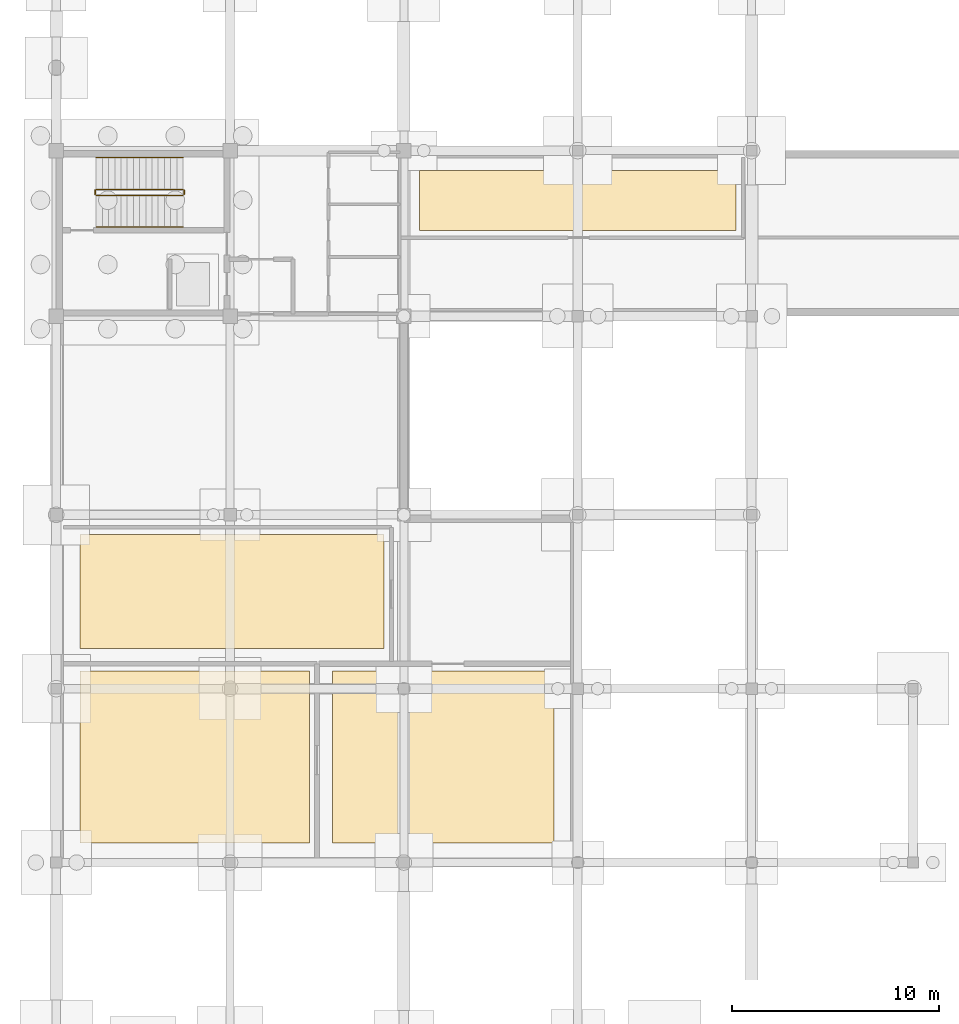
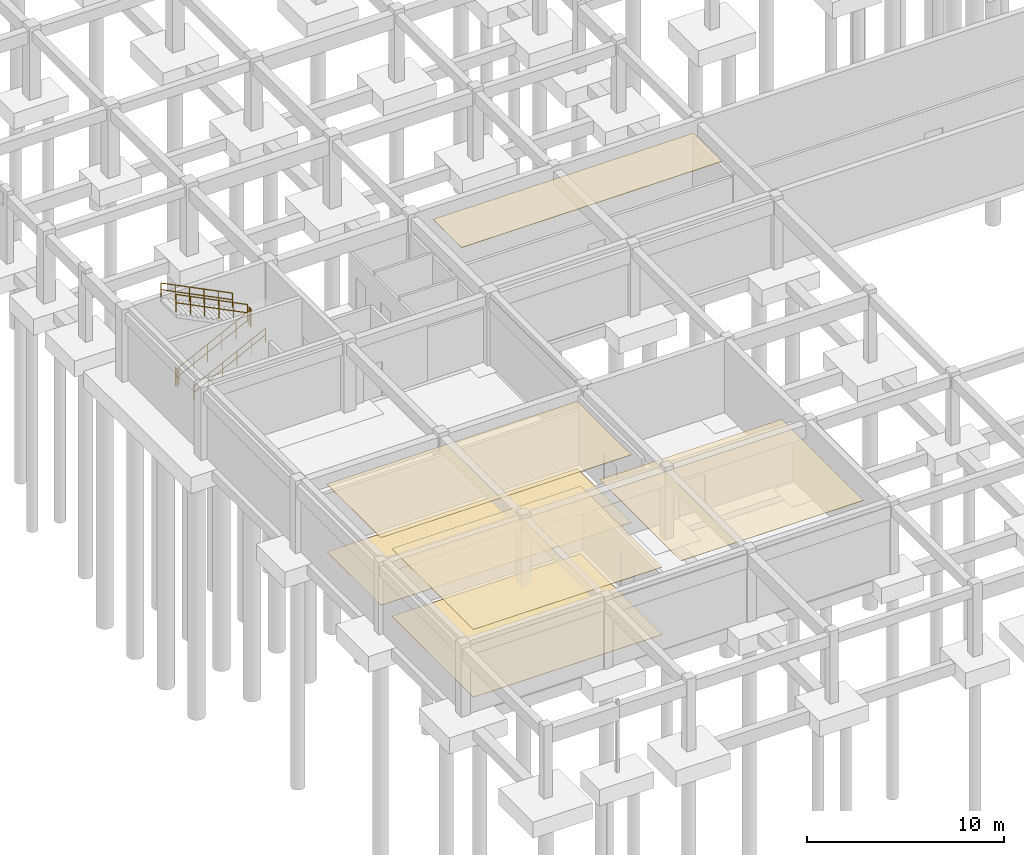
# One storey, part 35 of 43: 6 coverings, 6 railings.
"""IFC4 building model written with IfcOpenShell, lengths in metres."""

import ifcopenshell
import ifcopenshell.guid

model = None  # the IFC model being written
_history = None  # IfcOwnerHistory: only IFC2X3 demands one
_inside = {}  # id of a spatial element -> (the spatial element, [elements in it])
_under = {}  # id of a project, library or spatial element -> (it, [spatial elements below it])
_declared = {}  # id of a project -> (the project, [libraries it declares])
_typed = {}  # id of a type object -> (the type object, [elements of that type])
_made_of = {}  # id of a material, layer set ... -> (it, [elements and type objects made of it])


def new_model(schema):
    """Start an empty IFC model of exactly this schema.

    Asked for "IFC4X3", IfcOpenShell would pick the latest addendum, in which some entities
    have other attributes; the version numbers below select the first issue.
    IFC2X3 requires an IfcOwnerHistory on every rooted entity: one is made here for all.
    """
    global model, _history
    if schema == "IFC4X3":
        model = ifcopenshell.file(schema_version=(4, 3, 0, 0))
    else:
        model = ifcopenshell.file(schema=schema)
    _inside.clear()
    _under.clear()
    _declared.clear()
    _typed.clear()
    _made_of.clear()
    _history = None
    if model.schema == "IFC2X3":
        org = make("IfcOrganization", Name="unknown")
        user = make(
            "IfcPersonAndOrganization",
            ThePerson=make("IfcPerson", FamilyName="unknown"),
            TheOrganization=org,
        )
        app = make(
            "IfcApplication",
            ApplicationDeveloper=org,
            Version="unknown",
            ApplicationFullName="unknown",
            ApplicationIdentifier="unknown",
        )
        _history = make(
            "IfcOwnerHistory",
            OwningUser=user,
            OwningApplication=app,
            ChangeAction="ADDED",
            CreationDate=0,
        )
    return model


def make(cls, **values):
    """One entity of the class cls with the attributes given. An attribute that is None is left unset."""
    return model.create_entity(
        cls, **{name: value for name, value in values.items() if value is not None}
    )


def rooted(cls, **values):
    """An entity with a GlobalId (a new one), such as an element, a storey or a relation."""
    return make(cls, GlobalId=ifcopenshell.guid.new(), OwnerHistory=_history, **values)


def si_unit(unit_type, name, prefix=None):
    """IfcSIUnit, for example si_unit("LENGTHUNIT", "METRE", prefix="MILLI")."""
    return make("IfcSIUnit", UnitType=unit_type, Prefix=prefix, Name=name)


def derived_unit(unit_type, elements):
    """IfcDerivedUnit: a product of units, each with its exponent."""
    return make(
        "IfcDerivedUnit",
        Elements=[
            make("IfcDerivedUnitElement", Unit=unit, Exponent=power)
            for unit, power in elements
        ],
        UnitType=unit_type,
    )


def assignment(units):
    """IfcUnitAssignment: the units of a project."""
    return None if units is None else make("IfcUnitAssignment", Units=units)


def point(xyz):
    """IfcCartesianPoint."""
    return None if xyz is None else make("IfcCartesianPoint", Coordinates=xyz)


def direction(xyz):
    """IfcDirection."""
    return None if xyz is None else make("IfcDirection", DirectionRatios=xyz)


def frame(location, z_axis=None, x_axis=None):
    """IfcAxis2Placement3D, a coordinate frame: its origin and axes. An axis left out is left unset."""
    return make(
        "IfcAxis2Placement3D",
        Location=point(location),
        Axis=direction(z_axis),
        RefDirection=direction(x_axis),
    )


def frame_2d(location, x_axis=None):
    """IfcAxis2Placement2D, a coordinate frame in the plane: its origin and x axis."""
    return make(
        "IfcAxis2Placement2D", Location=point(location), RefDirection=direction(x_axis)
    )


def origin():
    """The frame at (0, 0, 0) with its axes left unset."""
    return frame((0.0, 0.0, 0.0))


def origin_2d():
    """The frame at (0, 0) in the plane with its x axis left unset."""
    return frame_2d((0.0, 0.0))


def place(relative_to, where):
    """IfcLocalPlacement: puts the frame where relative to a parent placement (None: the world)."""
    return make(
        "IfcLocalPlacement", PlacementRelTo=relative_to, RelativePlacement=where
    )


def context(
    kind, dimensions, precision=None, world=None, true_north=None, identifier=None
):
    """IfcGeometricRepresentationContext, for example the 3D "Model" context."""
    return make(
        "IfcGeometricRepresentationContext",
        ContextIdentifier=identifier,
        ContextType=kind,
        CoordinateSpaceDimension=dimensions,
        Precision=precision,
        WorldCoordinateSystem=world,
        TrueNorth=true_north,
    )


def subcontext(parent, identifier, kind, view, scale=None):
    """IfcGeometricRepresentationSubContext, for example "Body" below "Model"."""
    return make(
        "IfcGeometricRepresentationSubContext",
        ContextIdentifier=identifier,
        ContextType=kind,
        ParentContext=parent,
        TargetScale=scale,
        TargetView=view,
    )


def project(units=None, contexts=None):
    """IfcProject with its units and contexts."""
    return rooted(
        "IfcProject",
        Name="project",
        RepresentationContexts=contexts,
        UnitsInContext=assignment(units),
    )


def spatial(cls, under=None, at=None, **own):
    """A site, building, storey or space (cls), placed at a placement, below another one or the project."""
    s = rooted(cls, ObjectPlacement=at, **own)
    if under is not None:
        _under.setdefault(under.id(), (under, []))[1].append(s)
    return s


def polyline(points):
    """IfcPolyline through the points."""
    return make("IfcPolyline", Points=[point(p) for p in points])


def profile(cls, at=None, kind="AREA", **sizes):
    """A parametric profile (cls). Its sizes go by their IFC names, for example OverallWidth=200.0."""
    return make(cls, ProfileType=kind, Position=at, **sizes)


def circle(**sizes):
    """IfcCircleProfileDef."""
    return profile("IfcCircleProfileDef", **sizes)


def outline(outer, holes=None, kind="AREA"):
    """IfcArbitraryClosedProfileDef: a profile drawn as a closed curve; with holes, ...WithVoids."""
    if holes is None:
        return make("IfcArbitraryClosedProfileDef", ProfileType=kind, OuterCurve=outer)
    return make(
        "IfcArbitraryProfileDefWithVoids",
        ProfileType=kind,
        OuterCurve=outer,
        InnerCurves=holes,
    )


def extrude(swept, where, along, depth):
    """IfcExtrudedAreaSolid: the profile swept, set in the frame where, extruded along a direction by depth."""
    return make(
        "IfcExtrudedAreaSolid",
        SweptArea=swept,
        Position=where,
        ExtrudedDirection=direction(along),
        Depth=depth,
    )


def shape(context_of_items, identifier, shape_type, items):
    """IfcShapeRepresentation: the items that make up one representation, for example the "Body"."""
    return make(
        "IfcShapeRepresentation",
        ContextOfItems=context_of_items,
        RepresentationIdentifier=identifier,
        RepresentationType=shape_type,
        Items=items,
    )


def material(Name=None, Category=None):
    """IfcMaterial."""
    return make("IfcMaterial", Name=Name, Category=Category)


def layer(
    of_material, thickness, ventilated=None, Name=None, Category=None, Priority=None
):
    """IfcMaterialLayer: one layer of a wall or slab, of a material (None: an air gap)."""
    return make(
        "IfcMaterialLayer",
        Material=of_material,
        LayerThickness=thickness,
        IsVentilated=ventilated,
        Name=Name,
        Category=Category,
        Priority=Priority,
    )


def layer_set(layers, Name=None):
    """IfcMaterialLayerSet."""
    return make("IfcMaterialLayerSet", MaterialLayers=layers, LayerSetName=Name)


def made_of(thing, what):
    """Note that an element or type object is made of a material, layer set ...; save() writes the relation."""
    if what is not None:
        _made_of.setdefault(what.id(), (what, []))[1].append(thing)
    return thing


def type_object(cls, material=None, **own):
    """A type object (cls), such as IfcWallType, which elements share."""
    return made_of(rooted(cls, **own), material)


def element(
    cls,
    number,
    at=None,
    inside=None,
    cuts=None,
    type_object=None,
    material=None,
    context=None,
    identifier="Body",
    shape_type=None,
    held_by="IfcProductDefinitionShape",
    body=None,
    shapes=None,
    **own,
):
    """One element of the class cls, such as IfcWall. Its Tag is "e" and its number.

    at: its placement. inside: the storey or other place that contains it. cuts: it is an
    opening in that element (IfcRelVoidsElement). A single representation is given by context,
    identifier, shape_type and body (its items); several are given by shapes. held_by: the class
    of the entity that holds the representations. save() writes the other relations.
    """
    e = rooted(cls, Tag="e%d" % number, ObjectPlacement=at, **own)
    if body is not None:
        shapes = [shape(context, identifier, shape_type, body)]
    if shapes is not None:
        e.Representation = make(held_by, Representations=shapes)
    if inside is not None:
        _inside.setdefault(inside.id(), (inside, []))[1].append(e)
    if cuts is not None:
        rooted(
            "IfcRelVoidsElement", RelatingBuildingElement=cuts, RelatedOpeningElement=e
        )
    if type_object is not None:
        _typed.setdefault(type_object.id(), (type_object, []))[1].append(e)
    return made_of(e, material)


def aggregate(whole, parts):
    """IfcRelAggregates: a whole, such as a stair, and the parts it consists of."""
    return rooted("IfcRelAggregates", RelatingObject=whole, RelatedObjects=parts)


def save(model, path):
    """Write the relations noted so far, then the file.

    IfcRelAggregates (storeys below a building ...), IfcRelContainedInSpatialStructure (elements
    in a storey), IfcRelDefinesByType, IfcRelAssociatesMaterial and IfcRelDeclares: one each for
    every whole, place, type object, material and project.
    """
    for whole, parts in _under.values():
        aggregate(whole, parts)
    for where, things in _inside.values():
        rooted(
            "IfcRelContainedInSpatialStructure",
            RelatedElements=things,
            RelatingStructure=where,
        )
    for kind, things in _typed.values():
        rooted("IfcRelDefinesByType", RelatedObjects=things, RelatingType=kind)
    for what, things in _made_of.values():
        rooted("IfcRelAssociatesMaterial", RelatedObjects=things, RelatingMaterial=what)
    for by, libraries in _declared.values():
        rooted("IfcRelDeclares", RelatingContext=by, RelatedDefinitions=libraries)
    model.write(path)


model = new_model("IFC4")

# Units and contexts
model_context = context("Model", 3, precision=1e-05, world=origin(), true_north=direction((0.0, 1.0)))
body_context = subcontext(model_context, "Body", "Model", "MODEL_VIEW")
ifc_project = project(units=[si_unit("LENGTHUNIT", "METRE"), si_unit("AREAUNIT", "SQUARE_METRE"), si_unit("VOLUMEUNIT", "CUBIC_METRE"), si_unit("PLANEANGLEUNIT", "RADIAN"), si_unit("MASSUNIT", "GRAM", prefix="KILO"), derived_unit("THERMALTRANSMITTANCEUNIT", [(si_unit("POWERUNIT", "WATT"), 1), (si_unit("AREAUNIT", "SQUARE_METRE"), -1), (si_unit("THERMODYNAMICTEMPERATUREUNIT", "KELVIN"), -1)])], contexts=[model_context])

# Site, building, storey
site_placement = place(None, origin())
site = spatial("IfcSite", under=ifc_project, at=site_placement, CompositionType="ELEMENT")
building_placement = place(site_placement, origin())
building = spatial("IfcBuilding", under=site, at=building_placement, Name="Yasenodar Specialist Clinic", CompositionType="ELEMENT")
storey_placement = place(building_placement, frame((0.0, 0.0, -4.5)))
storey = spatial("IfcBuildingStorey", under=building, at=storey_placement, Name="B1", CompositionType="ELEMENT", Elevation=-4.5)

# Coverings
ifc_material_1 = material(Name="Hygienic Acoustic Mineral-Fibre Ceiling")
ifc_layer_1 = layer(ifc_material_1, 0.02490234375)
ifc_layer_set_1 = layer_set([ifc_layer_1], Name="Hygienic Acoustic Mineral-Fibre Ceiling")
covering_type_1 = type_object("IfcCoveringType", Name="COV-CEIL-AC", PredefinedType="CEILING", material=ifc_layer_set_1)
covering_1_placement = place(storey_placement, frame((0.0, 0.0, 4.195068359375)))
element("IfcCovering", 1, at=covering_1_placement, inside=storey, type_object=covering_type_1, Name="B1 Radiopharmacy and Isotope Bunker Acoustic Ceiling", PredefinedType="CEILING", context=body_context, shape_type="SweptSolid", body=[
    extrude(outline(polyline([(12.25, 9.35009765625), (1.14990234375, 9.35009765625), (1.14990234375, 17.64990234375), (12.25, 17.64990234375), (12.25, 9.35009765625)])), origin(), (0.0, 0.0, 1.0), 0.02490234375),
])
covering_2_placement = place(storey_placement, frame((0.0, 0.0, 4.195068359375)))
element("IfcCovering", 2, at=covering_2_placement, inside=storey, type_object=covering_type_1, Name="B1 MRI Chiller and Quench Plant Room Acoustic Ceiling", PredefinedType="CEILING", context=body_context, shape_type="SweptSolid", body=[
    extrude(outline(polyline([(24.050048828125, 9.35009765625), (13.35009765625, 9.35009765625), (13.35009765625, 17.64990234375), (24.050048828125, 17.64990234375), (24.050048828125, 9.35009765625)])), origin(), (0.0, 0.0, 1.0), 0.02490234375),
])
covering_3_placement = place(storey_placement, frame((0.0, 0.0, 4.195068359375)))
element("IfcCovering", 3, at=covering_3_placement, inside=storey, type_object=covering_type_1, Name="B1 Biomedical Engineering Workshop Acoustic Ceiling", PredefinedType="CEILING", context=body_context, shape_type="SweptSolid", body=[
    extrude(outline(polyline([(15.85009765625, 18.75), (1.14990234375, 18.75), (1.14990234375, 24.25), (15.85009765625, 24.25), (15.85009765625, 18.75)])), origin(), (0.0, 0.0, 1.0), 0.02490234375),
])
covering_4_placement = place(storey_placement, frame((0.0, 0.0, 4.2099609375)))
element("IfcCovering", 4, at=covering_4_placement, inside=storey, type_object=covering_type_1, Name="B1 Medical Gas Manifold Room Acoustic Ceiling", PredefinedType="CEILING", context=body_context, shape_type="SweptSolid", body=[
    extrude(outline(polyline([(32.85009765625, 38.949951171875), (17.550048828125, 38.949951171875), (17.550048828125, 41.85009765625), (32.85009765625, 41.85009765625), (32.85009765625, 38.949951171875)])), origin(), (0.0, 0.0, 1.0), 0.025146484375),
])
ifc_material_2 = material(Name="Seamless Epoxy Terrazzo Clinical Flooring")
ifc_layer_2 = layer(ifc_material_2, 0.02001953125)
ifc_layer_set_2 = layer_set([ifc_layer_2], Name="Seamless Epoxy Terrazzo Clinical Flooring")
covering_type_2 = type_object("IfcCoveringType", Name="COV-FLR-TERR", PredefinedType="FLOORING", material=ifc_layer_set_2)
covering_5_placement = place(storey_placement, origin())
element("IfcCovering", 5, at=covering_5_placement, inside=storey, type_object=covering_type_2, Name="B1 Radiopharmacy and Isotope Bunker Terrazzo Flooring", PredefinedType="FLOORING", context=body_context, shape_type="SweptSolid", body=[
    extrude(outline(polyline([(12.25, 9.35009765625), (1.14990234375, 9.35009765625), (1.14990234375, 17.64990234375), (12.25, 17.64990234375), (12.25, 9.35009765625)])), origin(), (0.0, 0.0, 1.0), 0.02001953125),
])
covering_6_placement = place(storey_placement, origin())
element("IfcCovering", 6, at=covering_6_placement, inside=storey, type_object=covering_type_2, Name="B1 Biomedical Engineering Workshop Terrazzo Flooring", PredefinedType="FLOORING", context=body_context, shape_type="SweptSolid", body=[
    extrude(outline(polyline([(15.85009765625, 18.75), (1.14990234375, 18.75), (1.14990234375, 24.25), (15.85009765625, 24.25), (15.85009765625, 18.75)])), origin(), (0.0, 0.0, 1.0), 0.02001953125),
])

# Railings
ifc_material_3 = material(Name="Steel S355 Painted Stair Guardrail", Category="steel")
railing_type_1 = type_object("IfcRailingType", Name="RL-ST-GRD", PredefinedType="GUARDRAIL", material=ifc_material_3)
railing_1_placement = place(storey_placement, frame((1.929931640625, 40.639892578125, 0.14990234375)))
element("IfcRailing", 7, at=railing_1_placement, inside=storey, type_object=railing_type_1, Name="B1 ST-01 stair guard 1", PredefinedType="GUARDRAIL", context=body_context, shape_type="SweptSolid", body=[
    extrude(circle(Radius=0.02392578125, at=origin_2d()), frame((0.0, 0.0, 1.09619140625), z_axis=(0.894416792377, 0.0, 0.447234392142), x_axis=(0.0, 1.0, 0.0)), (0.0, 0.0, 1.0), 4.69580078125),
    extrude(circle(Radius=0.02392578125, at=origin_2d()), frame((0.0, 0.0, 0.58251953125), z_axis=(0.894416792377, 0.0, 0.447234392142), x_axis=(0.0, 1.0, 0.0)), (0.0, 0.0, 1.0), 4.69580078125),
    extrude(circle(Radius=0.02099609375, at=origin_2d()), origin(), (0.0, 0.0, 1.0), 1.072021484375),
    extrude(circle(Radius=0.02099609375, at=origin_2d()), frame((0.840087890625, 0.0, 0.419921875)), (0.0, 0.0, 1.0), 1.072021484375),
    extrude(circle(Radius=0.02099609375, at=origin_2d()), frame((1.679931640625, 0.0, 0.840087890625)), (0.0, 0.0, 1.0), 1.072021484375),
    extrude(circle(Radius=0.02099609375, at=origin_2d()), frame((2.52001953125, 0.0, 1.260009765625)), (0.0, 0.0, 1.0), 1.072021484375),
    extrude(circle(Radius=0.02099609375, at=origin_2d()), frame((3.35986328125, 0.0, 1.68017578125)), (0.0, 0.0, 1.0), 1.072021484375),
    extrude(circle(Radius=0.02099609375, at=origin_2d()), frame((4.199951171875, 0.0, 2.10009765625)), (0.0, 0.0, 1.0), 1.072021484375),
])
railing_2_placement = place(storey_placement, frame((6.179931640625, 40.68994140625, 2.25)))
element("IfcRailing", 8, at=railing_2_placement, inside=storey, type_object=railing_type_1, Name="B1 ST-01 stair guard 2", PredefinedType="GUARDRAIL", context=body_context, shape_type="SweptSolid", body=[
    extrude(circle(Radius=0.02392578125, at=origin_2d()), frame((0.0, 0.0, 1.09619140625), z_axis=(0.0, 1.0, 0.0), x_axis=(-1.0, 0.0, 0.0)), (0.0, 0.0, 1.0), 0.18994140625),
    extrude(circle(Radius=0.02392578125, at=origin_2d()), frame((0.0, 0.0, 0.58251953125), z_axis=(0.0, 1.0, 0.0), x_axis=(-1.0, 0.0, 0.0)), (0.0, 0.0, 1.0), 0.18994140625),
    extrude(circle(Radius=0.02099609375, at=origin_2d()), origin(), (0.0, 0.0, 1.0), 1.072021484375),
    extrude(circle(Radius=0.02099609375, at=origin_2d()), frame((0.0, 0.18994140625, 0.0)), (0.0, 0.0, 1.0), 1.072021484375),
])
railing_3_placement = place(storey_placement, frame((6.1298828125, 40.929931640625, 2.39990234375)))
element("IfcRailing", 9, at=railing_3_placement, inside=storey, type_object=railing_type_1, Name="B1 ST-01 stair guard 3", PredefinedType="GUARDRAIL", context=body_context, shape_type="SweptSolid", body=[
    extrude(circle(Radius=0.02392578125, at=origin_2d()), frame((0.0, 0.0, 1.09619140625), z_axis=(-0.894416792377, 0.0, 0.447234392142), x_axis=(0.0, -1.0, 0.0)), (0.0, 0.0, 1.0), 4.69580078125),
    extrude(circle(Radius=0.02392578125, at=origin_2d()), frame((0.0, 0.0, 0.58251953125), z_axis=(-0.894416792377, 0.0, 0.447234392142), x_axis=(0.0, -1.0, 0.0)), (0.0, 0.0, 1.0), 4.69580078125),
    extrude(circle(Radius=0.02099609375, at=origin_2d()), origin(), (0.0, 0.0, 1.0), 1.072021484375),
    extrude(circle(Radius=0.02099609375, at=origin_2d()), frame((-0.840087890625, 0.0, 0.419921875)), (0.0, 0.0, 1.0), 1.072021484375),
    extrude(circle(Radius=0.02099609375, at=origin_2d()), frame((-1.679931640625, 0.0, 0.840087890625)), (0.0, 0.0, 1.0), 1.072021484375),
    extrude(circle(Radius=0.02099609375, at=origin_2d()), frame((-2.52001953125, 0.0, 1.260009765625)), (0.0, 0.0, 1.0), 1.072021484375),
    extrude(circle(Radius=0.02099609375, at=origin_2d()), frame((-3.35986328125, 0.0, 1.68017578125)), (0.0, 0.0, 1.0), 1.072021484375),
    extrude(circle(Radius=0.02099609375, at=origin_2d()), frame((-4.199951171875, 0.0, 2.10009765625)), (0.0, 0.0, 1.0), 1.072021484375),
])
railing_4_placement = place(storey_placement, frame((1.8798828125, 40.68994140625, 0.0)))
element("IfcRailing", 10, at=railing_4_placement, inside=storey, type_object=railing_type_1, Name="B1 ST-01 stair guard 4", PredefinedType="GUARDRAIL", context=body_context, shape_type="SweptSolid", body=[
    extrude(circle(Radius=0.02392578125, at=origin_2d()), frame((0.0, 0.0, 1.09619140625), z_axis=(0.0, 1.0, 0.0), x_axis=(-1.0, 0.0, 0.0)), (0.0, 0.0, 1.0), 0.18994140625),
    extrude(circle(Radius=0.02392578125, at=origin_2d()), frame((0.0, 0.0, 0.58251953125), z_axis=(0.0, 1.0, 0.0), x_axis=(-1.0, 0.0, 0.0)), (0.0, 0.0, 1.0), 0.18994140625),
    extrude(circle(Radius=0.02099609375, at=origin_2d()), origin(), (0.0, 0.0, 1.0), 1.072021484375),
    extrude(circle(Radius=0.02099609375, at=origin_2d()), frame((0.0, 0.18994140625, 0.0)), (0.0, 0.0, 1.0), 1.072021484375),
])
ifc_material_4 = material(Name="Brushed Stainless Steel Handrail", Category="steel")
railing_type_2 = type_object("IfcRailingType", Name="RL-ST-HND", PredefinedType="HANDRAIL", material=ifc_material_4)
railing_5_placement = place(storey_placement, frame((1.929931640625, 39.110107421875, 0.14990234375)))
element("IfcRailing", 11, at=railing_5_placement, inside=storey, type_object=railing_type_2, Name="B1 ST-01 stair handrail 1", PredefinedType="HANDRAIL", context=body_context, shape_type="SweptSolid", body=[
    extrude(circle(Radius=0.02392578125, at=origin_2d()), frame((0.0, 0.0, 0.8759765625), z_axis=(0.894416792377, 0.0, 0.447234392142), x_axis=(0.0, 1.0, 0.0)), (0.0, 0.0, 1.0), 4.69580078125),
    extrude(circle(Radius=0.02392578125, at=origin_2d()), frame((0.0, 0.0, 0.468017578125), z_axis=(0.894416792377, 0.0, 0.447234392142), x_axis=(0.0, 1.0, 0.0)), (0.0, 0.0, 1.0), 4.69580078125),
    extrude(circle(Radius=0.02099609375, at=origin_2d()), origin(), (0.0, 0.0, 1.0), 0.851806640625),
    extrude(circle(Radius=0.02099609375, at=origin_2d()), frame((0.840087890625, 0.0, 0.419921875)), (0.0, 0.0, 1.0), 0.851806640625),
    extrude(circle(Radius=0.02099609375, at=origin_2d()), frame((1.679931640625, 0.0, 0.840087890625)), (0.0, 0.0, 1.0), 0.851806640625),
    extrude(circle(Radius=0.02099609375, at=origin_2d()), frame((2.52001953125, 0.0, 1.260009765625)), (0.0, 0.0, 1.0), 0.851806640625),
    extrude(circle(Radius=0.02099609375, at=origin_2d()), frame((3.35986328125, 0.0, 1.68017578125)), (0.0, 0.0, 1.0), 0.851806640625),
    extrude(circle(Radius=0.02099609375, at=origin_2d()), frame((4.199951171875, 0.0, 2.10009765625)), (0.0, 0.0, 1.0), 0.851806640625),
])
railing_6_placement = place(storey_placement, frame((6.1298828125, 42.4599609375, 2.39990234375)))
element("IfcRailing", 12, at=railing_6_placement, inside=storey, type_object=railing_type_2, Name="B1 ST-01 stair handrail 2", PredefinedType="HANDRAIL", context=body_context, shape_type="SweptSolid", body=[
    extrude(circle(Radius=0.02392578125, at=origin_2d()), frame((0.0, 0.0, 0.8759765625), z_axis=(-0.894416792377, 0.0, 0.447234392142), x_axis=(0.0, -1.0, 0.0)), (0.0, 0.0, 1.0), 4.69580078125),
    extrude(circle(Radius=0.02392578125, at=origin_2d()), frame((0.0, 0.0, 0.468017578125), z_axis=(-0.894416792377, 0.0, 0.447234392142), x_axis=(0.0, -1.0, 0.0)), (0.0, 0.0, 1.0), 4.69580078125),
    extrude(circle(Radius=0.02099609375, at=origin_2d()), origin(), (0.0, 0.0, 1.0), 0.851806640625),
    extrude(circle(Radius=0.02099609375, at=origin_2d()), frame((-0.840087890625, 0.0, 0.419921875)), (0.0, 0.0, 1.0), 0.851806640625),
    extrude(circle(Radius=0.02099609375, at=origin_2d()), frame((-1.679931640625, 0.0, 0.840087890625)), (0.0, 0.0, 1.0), 0.851806640625),
    extrude(circle(Radius=0.02099609375, at=origin_2d()), frame((-2.52001953125, 0.0, 1.260009765625)), (0.0, 0.0, 1.0), 0.851806640625),
    extrude(circle(Radius=0.02099609375, at=origin_2d()), frame((-3.35986328125, 0.0, 1.68017578125)), (0.0, 0.0, 1.0), 0.851806640625),
    extrude(circle(Radius=0.02099609375, at=origin_2d()), frame((-4.199951171875, 0.0, 2.10009765625)), (0.0, 0.0, 1.0), 0.851806640625),
])

save(model, "model.ifc")
